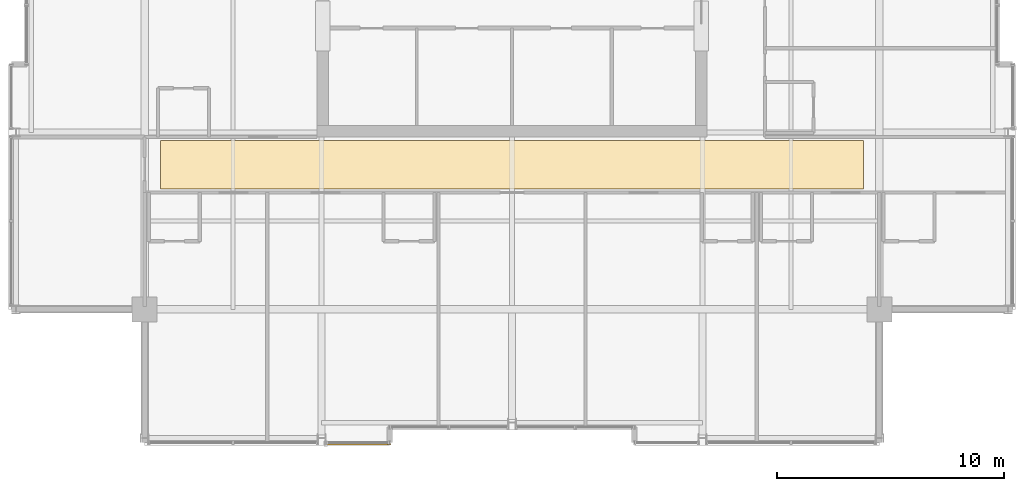
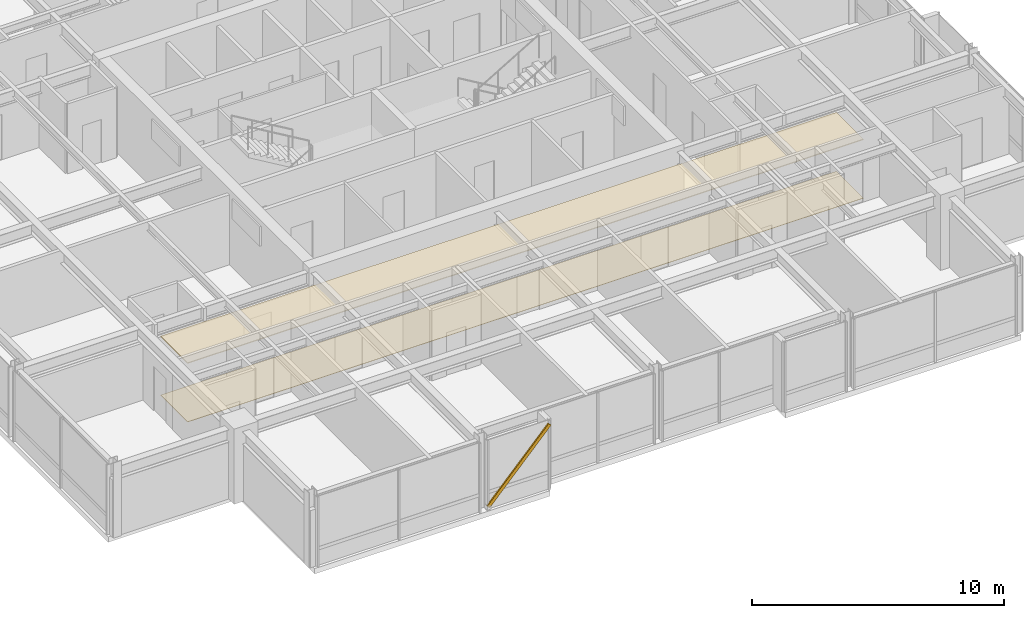
# One storey, part 31 of 33: 2 coverings, 1 shading device.
"""IFC4 building model written with IfcOpenShell, lengths in metres."""

from ifc_helpers import new_model, si_unit, direction, frame, origin, origin_2d, place, context, subcontext, project, spatial, polyline, hollow_rectangle, outline, extrude, material, layer, layer_set, material_profile, profile_set, type_object, element, save


model = new_model("IFC4")

# Units and contexts
model_context = context("Model", 3, precision=1e-05, world=origin(), true_north=direction((0.0, 1.0)))
body_context = subcontext(model_context, "Body", "Model", "MODEL_VIEW")
ifc_project = project(units=[si_unit("LENGTHUNIT", "METRE"), si_unit("AREAUNIT", "SQUARE_METRE"), si_unit("VOLUMEUNIT", "CUBIC_METRE"), si_unit("PLANEANGLEUNIT", "RADIAN"), si_unit("MASSUNIT", "GRAM", prefix="KILO")], contexts=[model_context])

# Site, building, storey
site_placement = place(None, origin())
site = spatial("IfcSite", under=ifc_project, at=site_placement, CompositionType="ELEMENT")
building_placement = place(site_placement, origin())
building = spatial("IfcBuilding", under=site, at=building_placement, Name="Drelvath Grand Hotel", CompositionType="ELEMENT")
storey_placement = place(building_placement, frame((0.0, 0.0, 268.64990234375)))
storey = spatial("IfcBuildingStorey", under=building, at=storey_placement, Name="L70", CompositionType="ELEMENT", Elevation=268.64990234375)

# Shading device
ifc_material_1 = material(Name="Platinum-Mist Anodised Aluminium", Category="aluminium")
ifc_material_profile = material_profile(ifc_material_1, hollow_rectangle(XDim=0.06494140625, YDim=0.159912109375, WallThickness=0.00390625, at=origin_2d()), Name="HSS160X65X4")
ifc_profile_set = profile_set([ifc_material_profile], Name="Platinum-Mist Anodised Aluminium")
shading_device_type = type_object("IfcShadingDeviceType", Name="Diagonal Solar Fin Platinum Anodised HSS160X65X4", PredefinedType="USERDEFINED", material=ifc_profile_set)
shading_device_placement = place(storey_placement, frame((-8.2216796875, 4.840087890625, 0.18017578125), z_axis=(0.681511100408, 0.0, 0.731807775321), x_axis=(0.0, 1.0, 0.0)))
element("IfcShadingDevice", 1, at=shading_device_placement, inside=storey, type_object=shading_device_type, Name="L70 Diagonal Anodised Fin CW05-L70-SW2", ObjectType="FIN", PredefinedType="USERDEFINED", context=body_context, shape_type="SweptSolid", body=[
    extrude(hollow_rectangle(XDim=0.06494140625, YDim=0.159912109375, WallThickness=0.00390625, at=origin_2d()), origin(), (0.0, 0.0, 1.0), 4.140380859375),
])

# Coverings
ifc_material_2 = material(Name="Woven Wool Broadloom Carpet")
ifc_layer_1 = layer(ifc_material_2, 0.01806640625)
ifc_layer_set_1 = layer_set([ifc_layer_1], Name="Woven Wool Broadloom Carpet")
covering_type_1 = type_object("IfcCoveringType", Name="Hospitality Broadloom Carpet 18", PredefinedType="FLOORING", material=ifc_layer_set_1)
covering_1_placement = place(storey_placement, origin())
element("IfcCovering", 2, at=covering_1_placement, inside=storey, type_object=covering_type_1, Name="L70 Upper Gallery Carpet", PredefinedType="FLOORING", context=body_context, shape_type="SweptSolid", body=[
    extrude(outline(polyline([(15.5, 16.10009765625), (15.5, 18.25), (-15.5, 18.25), (-15.5, 16.10009765625), (15.5, 16.10009765625)])), origin(), (0.0, 0.0, 1.0), 0.01806640625),
])
ifc_material_3 = material(Name="Anodised Aluminium Alloy", Category="aluminium")
ifc_layer_2 = layer(ifc_material_3, 0.0400390625)
ifc_layer_set_2 = layer_set([ifc_layer_2], Name="Anodised Aluminium Alloy")
covering_type_2 = type_object("IfcCoveringType", Name="Perforated Metal Corridor Ceiling 40", PredefinedType="CEILING", material=ifc_layer_set_2)
covering_2_placement = place(storey_placement, frame((0.0, 0.0, 2.840087890625)))
element("IfcCovering", 3, at=covering_2_placement, inside=storey, type_object=covering_type_2, Name="L70 Upper Gallery Ceiling", PredefinedType="CEILING", context=body_context, shape_type="SweptSolid", body=[
    extrude(outline(polyline([(15.5, 16.10009765625), (15.5, 18.25), (-15.5, 18.25), (-15.5, 16.10009765625), (15.5, 16.10009765625)])), origin(), (0.0, 0.0, 1.0), 0.0400390625),
])

save(model, "model.ifc")
